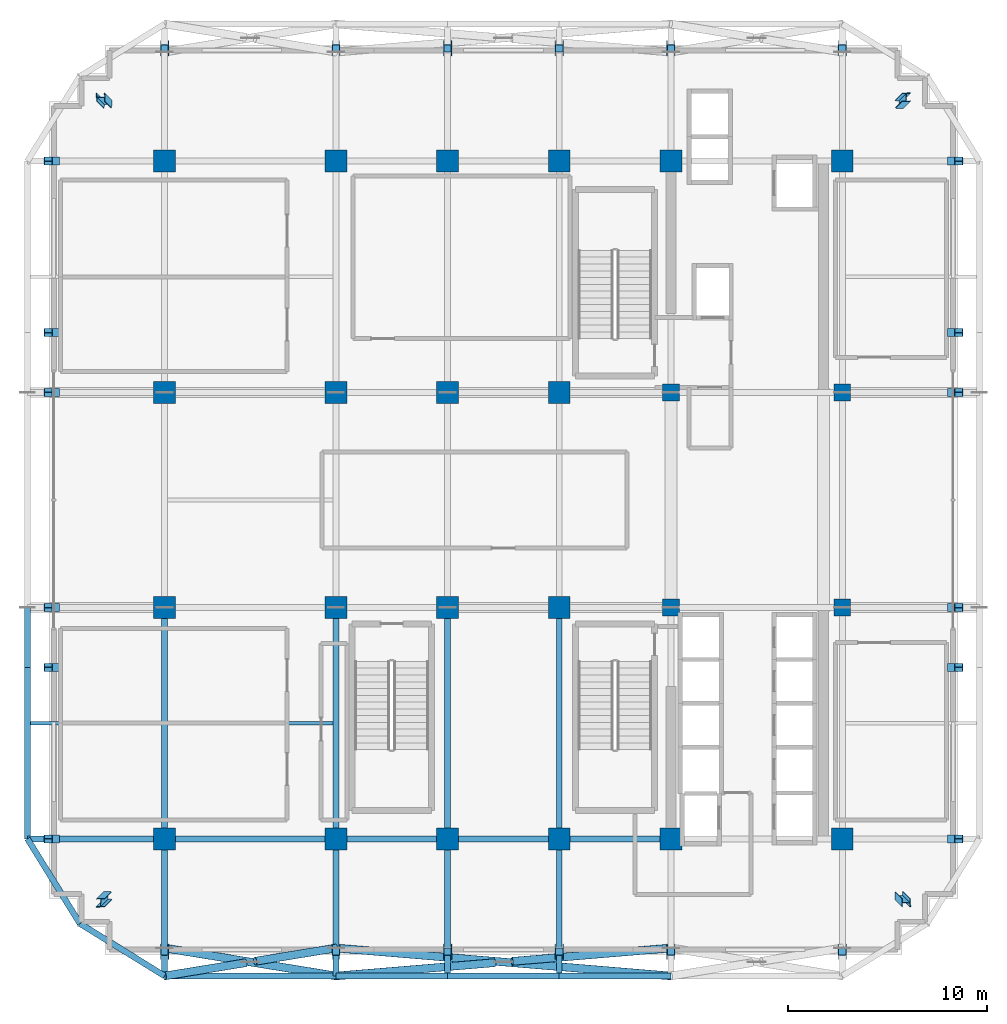
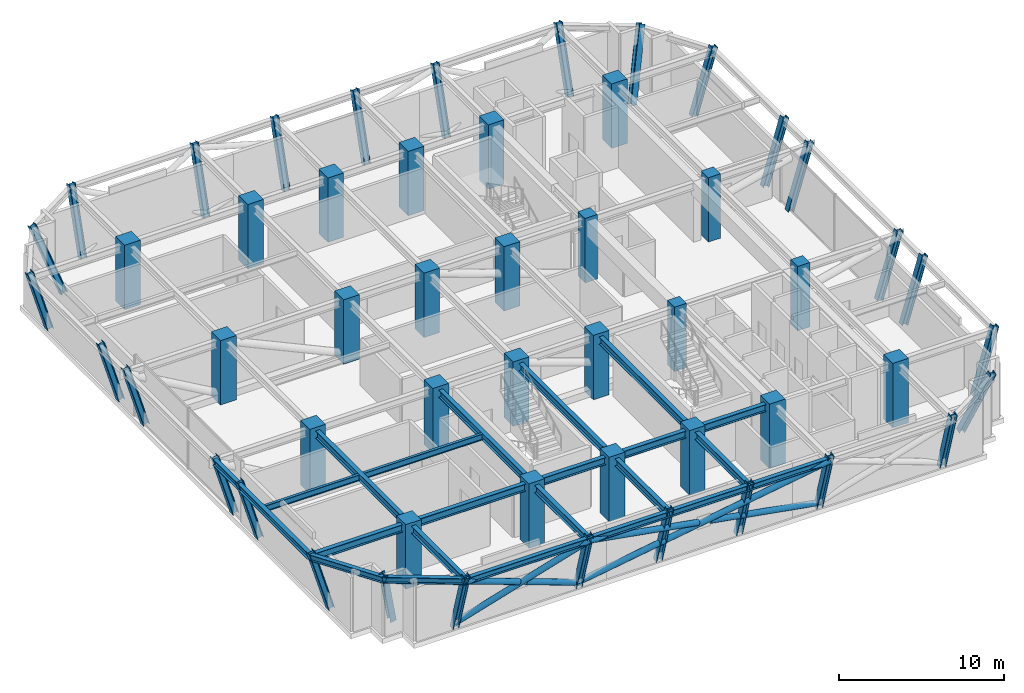
# One storey, part 1 of 16: 52 columns, 23 beams, 6 members.
"""IFC4 building model written with IfcOpenShell, lengths in metres."""

from ifc_helpers import new_model, si_unit, direction, frame, origin, origin_2d, place, context, subcontext, project, spatial, rectangle, hollow_circle, i_section, extrude, source, transform, mapped, material, material_profile, profile_set, type_object, element, save


model = new_model("IFC4")

# Units and contexts
model_context = context("Model", 3, precision=1e-05, world=origin(), true_north=direction((0.0, 1.0)))
body_context = subcontext(model_context, "Body", "Model", "MODEL_VIEW")
ifc_project = project(units=[si_unit("LENGTHUNIT", "METRE"), si_unit("AREAUNIT", "SQUARE_METRE"), si_unit("VOLUMEUNIT", "CUBIC_METRE"), si_unit("PLANEANGLEUNIT", "RADIAN"), si_unit("MASSUNIT", "GRAM", prefix="KILO")], contexts=[model_context])

# Site, building, storey
site_placement = place(None, origin())
site = spatial("IfcSite", under=ifc_project, at=site_placement, CompositionType="ELEMENT")
building_placement = place(site_placement, origin())
building = spatial("IfcBuilding", under=site, at=building_placement, Name="Nahalor Promenade Grand Hotel", CompositionType="ELEMENT")
storey_placement = place(building_placement, frame((0.0, 0.0, 200.10009765625)))
storey = spatial("IfcBuildingStorey", under=building, at=storey_placement, Name="L51", CompositionType="ELEMENT", Elevation=200.10009765625)

# Columns
ifc_material_1 = material(Name="Concrete B-70 (C60/75)", Category="concrete")
ifc_material_profile_1 = material_profile(ifc_material_1, rectangle(XDim=0.85, YDim=0.85, at=origin_2d()), Name="RC 850x850")
ifc_profile_set_1 = profile_set([ifc_material_profile_1], Name="Concrete B-70 (C60/75)")
column_type_1 = type_object("IfcColumnType", Name="Col-Pilaster-850", PredefinedType="PILASTER", material=ifc_profile_set_1)
shared_shape_1 = source(origin(), body_context, "Body", "SweptSolid", [
    extrude(rectangle(XDim=0.85, YDim=0.85, at=origin_2d()), origin(), (0.0, 0.0, 1.0), 4.7548828125),
])
for number, where, z_axis, x_axis, name in (
    (1, (8.39990234375, -5.39990234375, 0.0), (0.0, 0.0, 1.0), (1.0, 0.0, 0.0), "COL-L51-I41"),
    (2, (8.39990234375, 5.39990234375, 0.0), (0.0, 0.0, 1.0), (1.0, 0.0, 0.0), "COL-L51-I42"),
    (3, (17.0, -5.39990234375, 0.0), (0.0, 0.0, 1.0), (1.0, 0.0, 0.0), "COL-L51-I51"),
    (4, (17.0, 5.39990234375, 0.0), (0.0, 0.0, 1.0), (1.0, 0.0, 0.0), "COL-L51-I52"),
):
    element("IfcColumn", number, at=place(storey_placement, frame(where, z_axis=z_axis, x_axis=x_axis)), inside=storey, type_object=column_type_1, Name=name, PredefinedType="PILASTER", context=body_context, shape_type="MappedRepresentation", body=[
        mapped(shared_shape_1, transform((0.0, 0.0, 0.0), scale=1.0)),
    ])
ifc_material_2 = material(Name="Concrete B-60 (C50/60)", Category="concrete")
ifc_material_profile_2 = material_profile(ifc_material_2, rectangle(XDim=1.1, YDim=1.1, at=origin_2d()), Name="RC 1100x1100")
ifc_profile_set_2 = profile_set([ifc_material_profile_2], Name="Concrete B-60 (C50/60)")
column_type_2 = type_object("IfcColumnType", Name="Col-RC-1100", PredefinedType="COLUMN", material=ifc_profile_set_2)
shared_shape_2 = source(origin(), body_context, "Body", "SweptSolid", [
    extrude(rectangle(XDim=1.1, YDim=1.1, at=origin_2d()), origin(), (0.0, 0.0, 1.0), 4.7548828125),
])
for number, where, z_axis, x_axis, name in (
    (5, (-17.0, -17.0, 0.0), (0.0, 0.0, 1.0), (1.0, 0.0, 0.0), "COL-L51-I00"),
    (6, (-17.0, -5.39990234375, 0.0), (0.0, 0.0, 1.0), (1.0, 0.0, 0.0), "COL-L51-I01"),
    (7, (-17.0, 5.39990234375, 0.0), (0.0, 0.0, 1.0), (1.0, 0.0, 0.0), "COL-L51-I02"),
    (8, (-17.0, 17.0, 0.0), (0.0, 0.0, 1.0), (1.0, 0.0, 0.0), "COL-L51-I03"),
    (9, (-8.39990234375, -17.0, 0.0), (0.0, 0.0, 1.0), (1.0, 0.0, 0.0), "COL-L51-I10"),
    (10, (-8.39990234375, -5.39990234375, 0.0), (0.0, 0.0, 1.0), (1.0, 0.0, 0.0), "COL-L51-I11"),
    (11, (-8.39990234375, 5.39990234375, 0.0), (0.0, 0.0, 1.0), (1.0, 0.0, 0.0), "COL-L51-I12"),
    (12, (-8.39990234375, 17.0, 0.0), (0.0, 0.0, 1.0), (1.0, 0.0, 0.0), "COL-L51-I13"),
    (13, (-2.800048828125, -17.0, 0.0), (0.0, 0.0, 1.0), (1.0, 0.0, 0.0), "COL-L51-I20"),
    (14, (-2.800048828125, -5.39990234375, 0.0), (0.0, 0.0, 1.0), (1.0, 0.0, 0.0), "COL-L51-I21"),
    (15, (-2.800048828125, 5.39990234375, 0.0), (0.0, 0.0, 1.0), (1.0, 0.0, 0.0), "COL-L51-I22"),
    (16, (-2.800048828125, 17.0, 0.0), (0.0, 0.0, 1.0), (1.0, 0.0, 0.0), "COL-L51-I23"),
    (17, (2.800048828125, -17.0, 0.0), (0.0, 0.0, 1.0), (1.0, 0.0, 0.0), "COL-L51-I30"),
    (18, (2.800048828125, -5.39990234375, 0.0), (0.0, 0.0, 1.0), (1.0, 0.0, 0.0), "COL-L51-I31"),
    (19, (2.800048828125, 5.39990234375, 0.0), (0.0, 0.0, 1.0), (1.0, 0.0, 0.0), "COL-L51-I32"),
    (20, (2.800048828125, 17.0, 0.0), (0.0, 0.0, 1.0), (1.0, 0.0, 0.0), "COL-L51-I33"),
    (21, (8.39990234375, -17.0, 0.0), (0.0, 0.0, 1.0), (1.0, 0.0, 0.0), "COL-L51-I40"),
    (22, (8.39990234375, 17.0, 0.0), (0.0, 0.0, 1.0), (1.0, 0.0, 0.0), "COL-L51-I43"),
    (23, (17.0, -17.0, 0.0), (0.0, 0.0, 1.0), (1.0, 0.0, 0.0), "COL-L51-I50"),
    (24, (17.0, 17.0, 0.0), (0.0, 0.0, 1.0), (1.0, 0.0, 0.0), "COL-L51-I53"),
):
    element("IfcColumn", number, at=place(storey_placement, frame(where, z_axis=z_axis, x_axis=x_axis)), inside=storey, type_object=column_type_2, Name=name, PredefinedType="COLUMN", context=body_context, shape_type="MappedRepresentation", body=[
        mapped(shared_shape_2, transform((0.0, 0.0, 0.0), scale=1.0)),
    ])
ifc_material_3 = material(Name="Steel S355J2", Category="steel")
ifc_material_profile_3 = material_profile(ifc_material_3, i_section(OverallWidth=0.406, OverallDepth=0.422, WebThickness=0.019, FlangeThickness=0.0305, at=origin_2d()), Name="HD 400x382")
ifc_profile_set_3 = profile_set([ifc_material_profile_3], Name="Steel S355J2")
column_type_3 = type_object("IfcColumnType", Name="Col-Steel-HD382", PredefinedType="COLUMN", material=ifc_profile_set_3)
shared_shape_3 = source(origin(), body_context, "Body", "SweptSolid", [
    extrude(i_section(OverallWidth=0.406, OverallDepth=0.422, WebThickness=0.019, FlangeThickness=0.0305, at=origin_2d()), origin(), (0.0, 0.0, 1.0), 4.86083984375),
])
for number, where, z_axis, x_axis, name in (
    (25, (-22.47998046875, -17.0, 0.0), (-0.288002153126, 0.0, 0.957629761335), (0.0, -1.0, 0.0), "COL-L51-PW-W0"),
    (26, (22.47998046875, -17.0, 0.0), (0.288002153126, 0.0, 0.957629761335), (0.0, 1.0, 0.0), "COL-L51-PW-E0"),
    (27, (-22.47998046875, -8.39990234375, 0.0), (-0.288002153126, 0.0, 0.957629761335), (0.0, -1.0, 0.0), "COL-L51-PW-W1"),
    (28, (22.47998046875, -8.39990234375, 0.0), (0.288002153126, 0.0, 0.957629761335), (0.0, 1.0, 0.0), "COL-L51-PW-E1"),
    (29, (-22.47998046875, -5.39990234375, 0.0), (-0.288002153126, 0.0, 0.957629761335), (0.0, -1.0, 0.0), "COL-L51-PW-W2"),
    (30, (22.47998046875, -5.39990234375, 0.0), (0.288002153126, 0.0, 0.957629761335), (0.0, 1.0, 0.0), "COL-L51-PW-E2"),
    (31, (-22.47998046875, 5.39990234375, 0.0), (-0.288002153126, 0.0, 0.957629761335), (0.0, -1.0, 0.0), "COL-L51-PW-W3"),
    (32, (22.47998046875, 5.39990234375, 0.0), (0.288002153126, 0.0, 0.957629761335), (0.0, 1.0, 0.0), "COL-L51-PW-E3"),
    (33, (-22.47998046875, 8.39990234375, 0.0), (-0.288002153126, 0.0, 0.957629761335), (0.0, -1.0, 0.0), "COL-L51-PW-W4"),
    (34, (22.47998046875, 8.39990234375, 0.0), (0.288002153126, 0.0, 0.957629761335), (0.0, 1.0, 0.0), "COL-L51-PW-E4"),
    (35, (-22.47998046875, 17.0, 0.0), (-0.288002153126, 0.0, 0.957629761335), (0.0, -1.0, 0.0), "COL-L51-PW-W5"),
    (36, (22.47998046875, 17.0, 0.0), (0.288002153126, 0.0, 0.957629761335), (0.0, 1.0, 0.0), "COL-L51-PW-E5"),
    (37, (-17.0, -22.47998046875, 0.0), (0.0, -0.288002153126, 0.957629761335), (0.0, 0.957629761335, 0.288002153126), "COL-L51-PN-S0"),
    (38, (-17.0, 22.47998046875, 0.0), (0.0, 0.288002153126, 0.957629761335), (0.0, -0.957629761335, 0.288002153126), "COL-L51-PN-N0"),
    (39, (-8.39990234375, -22.47998046875, 0.0), (0.0, -0.288002153126, 0.957629761335), (0.0, 0.957629761335, 0.288002153126), "COL-L51-PN-S1"),
    (40, (-8.39990234375, 22.47998046875, 0.0), (0.0, 0.288002153126, 0.957629761335), (0.0, -0.957629761335, 0.288002153126), "COL-L51-PN-N1"),
    (41, (-2.800048828125, -22.47998046875, 0.0), (0.0, -0.288002153126, 0.957629761335), (0.0, 0.957629761335, 0.288002153126), "COL-L51-PN-S2"),
    (42, (-2.800048828125, 22.47998046875, 0.0), (0.0, 0.288002153126, 0.957629761335), (0.0, -0.957629761335, 0.288002153126), "COL-L51-PN-N2"),
    (43, (2.800048828125, -22.47998046875, 0.0), (0.0, -0.288002153126, 0.957629761335), (0.0, 0.957629761335, 0.288002153126), "COL-L51-PN-S3"),
    (44, (2.800048828125, 22.47998046875, 0.0), (0.0, 0.288002153126, 0.957629761335), (0.0, -0.957629761335, 0.288002153126), "COL-L51-PN-N3"),
    (45, (8.39990234375, -22.47998046875, 0.0), (0.0, -0.288002153126, 0.957629761335), (0.0, 0.957629761335, 0.288002153126), "COL-L51-PN-S4"),
    (46, (8.39990234375, 22.47998046875, 0.0), (0.0, 0.288002153126, 0.957629761335), (0.0, -0.957629761335, 0.288002153126), "COL-L51-PN-N4"),
    (47, (17.0, -22.47998046875, 0.0), (0.0, -0.288002153126, 0.957629761335), (0.0, 0.957629761335, 0.288002153126), "COL-L51-PN-S5"),
    (48, (17.0, 22.47998046875, 0.0), (0.0, 0.288002153126, 0.957629761335), (0.0, -0.957629761335, 0.288002153126), "COL-L51-PN-N5"),
):
    element("IfcColumn", number, at=place(storey_placement, frame(where, z_axis=z_axis, x_axis=x_axis)), inside=storey, type_object=column_type_3, Name=name, PredefinedType="COLUMN", context=body_context, shape_type="MappedRepresentation", body=[
        mapped(shared_shape_3, transform((0.0, 0.0, 0.0), scale=1.0)),
    ])
shared_shape_4 = source(origin(), body_context, "Body", "SweptSolid", [
    extrude(i_section(OverallWidth=0.406, OverallDepth=0.422, WebThickness=0.019, FlangeThickness=0.0305, at=origin_2d()), origin(), (0.0, 0.0, 1.0), 5.058349609375),
])
for number, where, z_axis, x_axis, name in (
    (49, (-19.85009765625, -19.85009765625, 0.0), (-0.27675309486, -0.27675309486, 0.920225759784), (0.960112879892, -0.039887120108, 0.27675309486), "COL-L51-CRN-SW"),
    (50, (-19.85009765625, 19.85009765625, 0.0), (-0.27675309486, 0.27675309486, 0.920225759784), (-0.039887120108, -0.960112879892, 0.27675309486), "COL-L51-CRN-NW"),
    (51, (19.85009765625, -19.85009765625, 0.0), (0.27675309486, -0.27675309486, 0.920225759784), (0.039887120108, 0.960112879892, 0.27675309486), "COL-L51-CRN-SE"),
    (52, (19.85009765625, 19.85009765625, 0.0), (0.27675309486, 0.27675309486, 0.920225759784), (-0.960112879892, 0.039887120108, 0.27675309486), "COL-L51-CRN-NE"),
):
    element("IfcColumn", number, at=place(storey_placement, frame(where, z_axis=z_axis, x_axis=x_axis)), inside=storey, type_object=column_type_3, Name=name, PredefinedType="COLUMN", context=body_context, shape_type="MappedRepresentation", body=[
        mapped(shared_shape_4, transform((0.0, 0.0, 0.0), scale=1.0)),
    ])

# Beams
ifc_material_4 = material(Name="Steel S355JR", Category="steel")
ifc_material_profile_4 = material_profile(ifc_material_4, i_section(OverallWidth=0.3, OverallDepth=0.55, WebThickness=0.015, FlangeThickness=0.029, at=origin_2d()), Name="HEB 550")
ifc_profile_set_4 = profile_set([ifc_material_profile_4], Name="Steel S355JR")
beam_type_1 = type_object("IfcBeamType", Name="Beam-Girder-HEB550", PredefinedType="BEAM", material=ifc_profile_set_4)
shared_shape_5 = source(origin(), body_context, "Body", "SweptSolid", [
    extrude(i_section(OverallWidth=0.3, OverallDepth=0.55, WebThickness=0.015, FlangeThickness=0.029, at=origin_2d()), origin(), (0.0, 0.0, 1.0), 8.60009765625),
])
beam_1_placement = place(storey_placement, frame((-17.0, -17.0, 4.23486328125), z_axis=(1.0, 0.0, 0.0), x_axis=(0.0, 1.0, 0.0)))
element("IfcBeam", 53, at=beam_1_placement, inside=storey, type_object=beam_type_1, Name="BM-L51-GX-0-1", PredefinedType="BEAM", context=body_context, shape_type="MappedRepresentation", body=[
    mapped(shared_shape_5, transform((0.0, 0.0, 0.0), scale=1.0)),
])
shared_shape_6 = source(origin(), body_context, "Body", "SweptSolid", [
    extrude(i_section(OverallWidth=0.3, OverallDepth=0.55, WebThickness=0.015, FlangeThickness=0.029, at=origin_2d()), origin(), (0.0, 0.0, 1.0), 5.599853515625),
])
for number, where, z_axis, x_axis, name in (
    (54, (-8.39990234375, -17.0, 4.23486328125), (1.0, 0.0, 0.0), (0.0, 1.0, 0.0), "BM-L51-GX-0-2"),
    (55, (2.800048828125, -17.0, 4.23486328125), (1.0, 0.0, 0.0), (0.0, 1.0, 0.0), "BM-L51-GX-0-4"),
):
    element("IfcBeam", number, at=place(storey_placement, frame(where, z_axis=z_axis, x_axis=x_axis)), inside=storey, type_object=beam_type_1, Name=name, PredefinedType="BEAM", context=body_context, shape_type="MappedRepresentation", body=[
        mapped(shared_shape_6, transform((0.0, 0.0, 0.0), scale=1.0)),
    ])
shared_shape_7 = source(origin(), body_context, "Body", "SweptSolid", [
    extrude(i_section(OverallWidth=0.3, OverallDepth=0.55, WebThickness=0.015, FlangeThickness=0.029, at=origin_2d()), origin(), (0.0, 0.0, 1.0), 5.60009765625),
])
beam_2_placement = place(storey_placement, frame((-2.800048828125, -17.0, 4.23486328125), z_axis=(1.0, 0.0, 0.0), x_axis=(0.0, 1.0, 0.0)))
element("IfcBeam", 56, at=beam_2_placement, inside=storey, type_object=beam_type_1, Name="BM-L51-GX-0-3", PredefinedType="BEAM", context=body_context, shape_type="MappedRepresentation", body=[
    mapped(shared_shape_7, transform((0.0, 0.0, 0.0), scale=1.0)),
])
shared_shape_8 = source(origin(), body_context, "Body", "SweptSolid", [
    extrude(i_section(OverallWidth=0.3, OverallDepth=0.55, WebThickness=0.015, FlangeThickness=0.029, at=origin_2d()), origin(), (0.0, 0.0, 1.0), 11.60009765625),
])
for number, where, z_axis, x_axis, name in (
    (57, (-17.0, -17.0, 4.23486328125), (0.0, 1.0, 0.0), (-1.0, 0.0, 0.0), "BM-L51-GY-0-1"),
    (58, (-8.39990234375, -17.0, 4.23486328125), (0.0, 1.0, 0.0), (-1.0, 0.0, 0.0), "BM-L51-GY-1-1"),
    (59, (-2.800048828125, -17.0, 4.23486328125), (0.0, 1.0, 0.0), (-1.0, 0.0, 0.0), "BM-L51-GY-2-1"),
    (60, (2.800048828125, -17.0, 4.23486328125), (0.0, 1.0, 0.0), (-1.0, 0.0, 0.0), "BM-L51-GY-3-1"),
):
    element("IfcBeam", number, at=place(storey_placement, frame(where, z_axis=z_axis, x_axis=x_axis)), inside=storey, type_object=beam_type_1, Name=name, PredefinedType="BEAM", context=body_context, shape_type="MappedRepresentation", body=[
        mapped(shared_shape_8, transform((0.0, 0.0, 0.0), scale=1.0)),
    ])
ifc_material_profile_5 = material_profile(ifc_material_4, i_section(OverallWidth=0.19, OverallDepth=0.45, WebThickness=0.0094, FlangeThickness=0.0146, at=origin_2d()), Name="IPE 450")
ifc_profile_set_5 = profile_set([ifc_material_profile_5], Name="Steel S355JR")
beam_type_2 = type_object("IfcBeamType", Name="Beam-Joist-IPE450", PredefinedType="JOIST", material=ifc_profile_set_5)
shared_shape_9 = source(origin(), body_context, "Body", "SweptSolid", [
    extrude(i_section(OverallWidth=0.19, OverallDepth=0.45, WebThickness=0.0094, FlangeThickness=0.0146, at=origin_2d()), origin(), (0.0, 0.0, 1.0), 8.300048828125),
])
beam_3_placement = place(storey_placement, frame((-16.85009765625, -11.199951171875, 4.284912109375), z_axis=(1.0, 0.0, 0.0), x_axis=(0.0, 1.0, 0.0)))
element("IfcBeam", 61, at=beam_3_placement, inside=storey, type_object=beam_type_2, Name="BM-L51-JSW-0-1", PredefinedType="JOIST", context=body_context, shape_type="MappedRepresentation", body=[
    mapped(shared_shape_9, transform((0.0, 0.0, 0.0), scale=1.0)),
])
ifc_material_profile_6 = material_profile(ifc_material_4, i_section(OverallWidth=0.3, OverallDepth=0.45, WebThickness=0.014, FlangeThickness=0.026, at=origin_2d()), Name="HEB 450")
ifc_profile_set_6 = profile_set([ifc_material_profile_6], Name="Steel S355JR")
beam_type_3 = type_object("IfcBeamType", Name="Beam-Spandrel-HEB450", PredefinedType="SPANDREL", material=ifc_profile_set_6)
shared_shape_10 = source(origin(), body_context, "Body", "SweptSolid", [
    extrude(i_section(OverallWidth=0.3, OverallDepth=0.45, WebThickness=0.014, FlangeThickness=0.026, at=origin_2d()), origin(), (0.0, 0.0, 1.0), 8.60009765625),
])
for number, where, z_axis, x_axis, name in (
    (62, (-17.0, -23.8798828125, 4.284912109375), (1.0, 0.0, 0.0), (0.0, 1.0, 0.0), "BM-L51-SP-S-0"),
    (63, (-23.8798828125, -17.0, 4.284912109375), (0.0, 1.0, 0.0), (-1.0, 0.0, 0.0), "BM-L51-SP-W-0"),
):
    element("IfcBeam", number, at=place(storey_placement, frame(where, z_axis=z_axis, x_axis=x_axis)), inside=storey, type_object=beam_type_3, Name=name, PredefinedType="SPANDREL", context=body_context, shape_type="MappedRepresentation", body=[
        mapped(shared_shape_10, transform((0.0, 0.0, 0.0), scale=1.0)),
    ])
shared_shape_11 = source(origin(), body_context, "Body", "SweptSolid", [
    extrude(i_section(OverallWidth=0.3, OverallDepth=0.45, WebThickness=0.014, FlangeThickness=0.026, at=origin_2d()), origin(), (0.0, 0.0, 1.0), 5.599853515625),
])
for number, where, z_axis, x_axis, name in (
    (64, (-8.39990234375, -23.8798828125, 4.284912109375), (1.0, 0.0, 0.0), (0.0, 1.0, 0.0), "BM-L51-SP-S-1"),
    (65, (2.800048828125, -23.8798828125, 4.284912109375), (1.0, 0.0, 0.0), (0.0, 1.0, 0.0), "BM-L51-SP-S-3"),
):
    element("IfcBeam", number, at=place(storey_placement, frame(where, z_axis=z_axis, x_axis=x_axis)), inside=storey, type_object=beam_type_3, Name=name, PredefinedType="SPANDREL", context=body_context, shape_type="MappedRepresentation", body=[
        mapped(shared_shape_11, transform((0.0, 0.0, 0.0), scale=1.0)),
    ])
shared_shape_12 = source(origin(), body_context, "Body", "SweptSolid", [
    extrude(i_section(OverallWidth=0.3, OverallDepth=0.45, WebThickness=0.014, FlangeThickness=0.026, at=origin_2d()), origin(), (0.0, 0.0, 1.0), 5.60009765625),
])
beam_4_placement = place(storey_placement, frame((-2.800048828125, -23.8798828125, 4.284912109375), z_axis=(1.0, 0.0, 0.0), x_axis=(0.0, 1.0, 0.0)))
element("IfcBeam", 66, at=beam_4_placement, inside=storey, type_object=beam_type_3, Name="BM-L51-SP-S-2", PredefinedType="SPANDREL", context=body_context, shape_type="MappedRepresentation", body=[
    mapped(shared_shape_12, transform((0.0, 0.0, 0.0), scale=1.0)),
])
shared_shape_13 = source(origin(), body_context, "Body", "SweptSolid", [
    extrude(i_section(OverallWidth=0.3, OverallDepth=0.45, WebThickness=0.014, FlangeThickness=0.026, at=origin_2d()), origin(), (0.0, 0.0, 1.0), 3.0),
])
beam_5_placement = place(storey_placement, frame((-23.8798828125, -8.39990234375, 4.284912109375), z_axis=(0.0, 1.0, 0.0), x_axis=(-1.0, 0.0, 0.0)))
element("IfcBeam", 67, at=beam_5_placement, inside=storey, type_object=beam_type_3, Name="BM-L51-SP-W-1", PredefinedType="SPANDREL", context=body_context, shape_type="MappedRepresentation", body=[
    mapped(shared_shape_13, transform((0.0, 0.0, 0.0), scale=1.0)),
])
shared_shape_14 = source(origin(), body_context, "Body", "SweptSolid", [
    extrude(i_section(OverallWidth=0.3, OverallDepth=0.55, WebThickness=0.015, FlangeThickness=0.029, at=origin_2d()), origin(), (0.0, 0.0, 1.0), 6.8798828125),
])
for number, where, z_axis, x_axis, name in (
    (68, (-23.8798828125, -17.0, 4.23486328125), (1.0, 0.0, 0.0), (0.0, 1.0, 0.0), "BM-L51-GX-0-0"),
    (69, (-17.0, -23.8798828125, 4.23486328125), (0.0, 1.0, 0.0), (-1.0, 0.0, 0.0), "BM-L51-GY-0-0"),
    (70, (-8.39990234375, -23.8798828125, 4.23486328125), (0.0, 1.0, 0.0), (-1.0, 0.0, 0.0), "BM-L51-GY-1-0"),
    (71, (-2.800048828125, -23.8798828125, 4.23486328125), (0.0, 1.0, 0.0), (-1.0, 0.0, 0.0), "BM-L51-GY-2-0"),
    (72, (2.800048828125, -23.8798828125, 4.23486328125), (0.0, 1.0, 0.0), (-1.0, 0.0, 0.0), "BM-L51-GY-3-0"),
):
    element("IfcBeam", number, at=place(storey_placement, frame(where, z_axis=z_axis, x_axis=x_axis)), inside=storey, type_object=beam_type_1, Name=name, PredefinedType="BEAM", context=body_context, shape_type="MappedRepresentation", body=[
        mapped(shared_shape_14, transform((0.0, 0.0, 0.0), scale=1.0)),
    ])
shared_shape_15 = source(origin(), body_context, "Body", "SweptSolid", [
    extrude(i_section(OverallWidth=0.3, OverallDepth=0.45, WebThickness=0.014, FlangeThickness=0.026, at=origin_2d()), origin(), (0.0, 0.0, 1.0), 4.997802734375),
])
for number, where, z_axis, x_axis, name in (
    (73, (-17.0, -23.8798828125, 4.284912109375), (-0.850360908404, 0.526199891161, 0.0), (-0.526199891161, -0.850360908404, 0.0), "BM-L51-SPC-SW-1"),
    (74, (-21.25, -21.25, 4.284912109375), (-0.526199891161, 0.850360908404, 0.0), (-0.850360908404, -0.526199891161, 0.0), "BM-L51-SPC-SW-2"),
):
    element("IfcBeam", number, at=place(storey_placement, frame(where, z_axis=z_axis, x_axis=x_axis)), inside=storey, type_object=beam_type_3, Name=name, PredefinedType="SPANDREL", context=body_context, shape_type="MappedRepresentation", body=[
        mapped(shared_shape_15, transform((0.0, 0.0, 0.0), scale=1.0)),
    ])
shared_shape_16 = source(origin(), body_context, "Body", "SweptSolid", [
    extrude(i_section(OverallWidth=0.19, OverallDepth=0.45, WebThickness=0.0094, FlangeThickness=0.0146, at=origin_2d()), origin(), (0.0, 0.0, 1.0), 6.580078125),
])
beam_6_placement = place(storey_placement, frame((-23.72998046875, -11.199951171875, 4.284912109375), z_axis=(1.0, 0.0, 0.0), x_axis=(0.0, 1.0, 0.0)))
element("IfcBeam", 75, at=beam_6_placement, inside=storey, type_object=beam_type_2, Name="BM-L51-JSW-0-0", PredefinedType="JOIST", context=body_context, shape_type="MappedRepresentation", body=[
    mapped(shared_shape_16, transform((0.0, 0.0, 0.0), scale=1.0)),
])

# Members
ifc_material_profile_7 = material_profile(ifc_material_3, hollow_circle(Radius=0.2032, WallThickness=0.02, at=origin_2d()), Name="CHS 406.4x20")
ifc_profile_set_7 = profile_set([ifc_material_profile_7], Name="Steel S355J2")
member_type = type_object("IfcMemberType", Name="Mem-BeltDiag-CHS406", PredefinedType="BRACE", material=ifc_profile_set_7)
shared_shape_17 = source(origin(), body_context, "Body", "SweptSolid", [
    extrude(hollow_circle(Radius=0.2032, WallThickness=0.02, at=origin_2d()), origin(), (0.0, 0.0, 1.0), 9.56689453125),
])
member_1_placement = place(storey_placement, frame((-17.0, -22.47998046875, 0.2998046875), z_axis=(0.898943606777, -0.146327787465, 0.412902616183), x_axis=(0.160662906265, 0.987009336607, 0.0)))
element("IfcMember", 76, at=member_1_placement, inside=storey, type_object=member_type, Name="BT-L51-S-D1-0", PredefinedType="BRACE", context=body_context, shape_type="MappedRepresentation", body=[
    mapped(shared_shape_17, transform((0.0, 0.0, 0.0), scale=1.0)),
])
shared_shape_18 = source(origin(), body_context, "Body", "SweptSolid", [
    extrude(hollow_circle(Radius=0.2032, WallThickness=0.02, at=origin_2d()), origin(), (0.0, 0.0, 1.0), 4.512451171875),
])
for number, where, z_axis, x_axis, name in (
    (77, (-8.39990234375, -22.47998046875, 0.2998046875), (-0.898932333488, -0.146350403977, 0.412919143496), (0.1606890604, -0.987005078947, 0.0), "BT-L51-S-D2-0A"),
    (78, (-12.943603515625, -23.2197265625, 2.38671875), (-0.898939450086, -0.146297458503, 0.412922412462), (0.160631188994, -0.987014498942, 0.0), "BT-L51-S-D2-0B"),
):
    element("IfcMember", number, at=place(storey_placement, frame(where, z_axis=z_axis, x_axis=x_axis)), inside=storey, type_object=member_type, Name=name, PredefinedType="BRACE", context=body_context, shape_type="MappedRepresentation", body=[
        mapped(shared_shape_18, transform((0.0, 0.0, 0.0), scale=1.0)),
    ])
shared_shape_19 = source(origin(), body_context, "Body", "SweptSolid", [
    extrude(hollow_circle(Radius=0.2032, WallThickness=0.02, at=origin_2d()), origin(), (0.0, 0.0, 1.0), 17.314697265625),
])
member_2_placement = place(storey_placement, frame((-8.39990234375, -22.47998046875, 0.2998046875), z_axis=(0.970265169423, -0.080850730708, 0.228141754945), x_axis=(0.08304068576, 0.996546157741, 0.0)))
element("IfcMember", 79, at=member_2_placement, inside=storey, type_object=member_type, Name="BT-L51-S-D1-1", PredefinedType="BRACE", context=body_context, shape_type="MappedRepresentation", body=[
    mapped(shared_shape_19, transform((0.0, 0.0, 0.0), scale=1.0)),
])
shared_shape_20 = source(origin(), body_context, "Body", "SweptSolid", [
    extrude(hollow_circle(Radius=0.2032, WallThickness=0.02, at=origin_2d()), origin(), (0.0, 0.0, 1.0), 8.2109375),
])
for number, where, z_axis, x_axis, name in (
    (80, (8.39990234375, -22.47998046875, 0.2998046875), (-0.970264744525, -0.080845484198, 0.228145421204), (0.083035370408, -0.996546600647, 0.0), "BT-L51-S-D2-1A"),
    (81, (-0.43310546875, -23.216064453125, 2.376708984375), (-0.970264744525, -0.080845484198, 0.228145421204), (0.083035370408, -0.996546600647, 0.0), "BT-L51-S-D2-1B"),
):
    element("IfcMember", number, at=place(storey_placement, frame(where, z_axis=z_axis, x_axis=x_axis)), inside=storey, type_object=member_type, Name=name, PredefinedType="BRACE", context=body_context, shape_type="MappedRepresentation", body=[
        mapped(shared_shape_20, transform((0.0, 0.0, 0.0), scale=1.0)),
    ])

save(model, "model.ifc")
